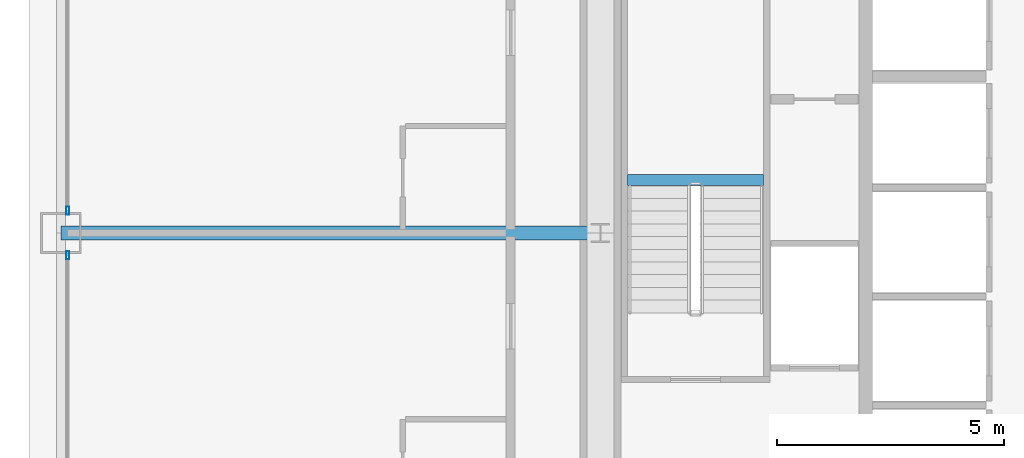
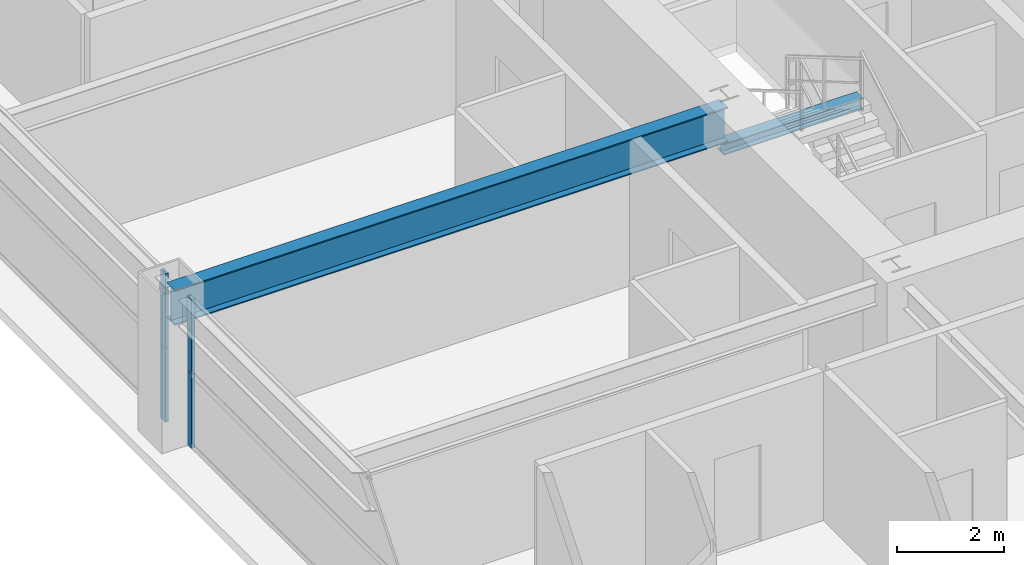
# One storey, part 13 of 43: 4 members, 2 beams, 2 elements without a shape of their own.
"""IFC4 building model written with IfcOpenShell, lengths in metres."""

import ifcopenshell
import ifcopenshell.guid

model = None  # the IFC model being written
_history = None  # IfcOwnerHistory: only IFC2X3 demands one
_inside = {}  # id of a spatial element -> (the spatial element, [elements in it])
_under = {}  # id of a project, library or spatial element -> (it, [spatial elements below it])
_declared = {}  # id of a project -> (the project, [libraries it declares])
_typed = {}  # id of a type object -> (the type object, [elements of that type])
_made_of = {}  # id of a material, layer set ... -> (it, [elements and type objects made of it])


def new_model(schema):
    """Start an empty IFC model of exactly this schema.

    Asked for "IFC4X3", IfcOpenShell would pick the latest addendum, in which some entities
    have other attributes; the version numbers below select the first issue.
    IFC2X3 requires an IfcOwnerHistory on every rooted entity: one is made here for all.
    """
    global model, _history
    if schema == "IFC4X3":
        model = ifcopenshell.file(schema_version=(4, 3, 0, 0))
    else:
        model = ifcopenshell.file(schema=schema)
    _inside.clear()
    _under.clear()
    _declared.clear()
    _typed.clear()
    _made_of.clear()
    _history = None
    if model.schema == "IFC2X3":
        org = make("IfcOrganization", Name="unknown")
        user = make(
            "IfcPersonAndOrganization",
            ThePerson=make("IfcPerson", FamilyName="unknown"),
            TheOrganization=org,
        )
        app = make(
            "IfcApplication",
            ApplicationDeveloper=org,
            Version="unknown",
            ApplicationFullName="unknown",
            ApplicationIdentifier="unknown",
        )
        _history = make(
            "IfcOwnerHistory",
            OwningUser=user,
            OwningApplication=app,
            ChangeAction="ADDED",
            CreationDate=0,
        )
    return model


def make(cls, **values):
    """One entity of the class cls with the attributes given. An attribute that is None is left unset."""
    return model.create_entity(
        cls, **{name: value for name, value in values.items() if value is not None}
    )


def rooted(cls, **values):
    """An entity with a GlobalId (a new one), such as an element, a storey or a relation."""
    return make(cls, GlobalId=ifcopenshell.guid.new(), OwnerHistory=_history, **values)


def si_unit(unit_type, name, prefix=None):
    """IfcSIUnit, for example si_unit("LENGTHUNIT", "METRE", prefix="MILLI")."""
    return make("IfcSIUnit", UnitType=unit_type, Prefix=prefix, Name=name)


def assignment(units):
    """IfcUnitAssignment: the units of a project."""
    return None if units is None else make("IfcUnitAssignment", Units=units)


def point(xyz):
    """IfcCartesianPoint."""
    return None if xyz is None else make("IfcCartesianPoint", Coordinates=xyz)


def direction(xyz):
    """IfcDirection."""
    return None if xyz is None else make("IfcDirection", DirectionRatios=xyz)


def frame(location, z_axis=None, x_axis=None):
    """IfcAxis2Placement3D, a coordinate frame: its origin and axes. An axis left out is left unset."""
    return make(
        "IfcAxis2Placement3D",
        Location=point(location),
        Axis=direction(z_axis),
        RefDirection=direction(x_axis),
    )


def frame_2d(location, x_axis=None):
    """IfcAxis2Placement2D, a coordinate frame in the plane: its origin and x axis."""
    return make(
        "IfcAxis2Placement2D", Location=point(location), RefDirection=direction(x_axis)
    )


def origin():
    """The frame at (0, 0, 0) with its axes left unset."""
    return frame((0.0, 0.0, 0.0))


def origin_2d():
    """The frame at (0, 0) in the plane with its x axis left unset."""
    return frame_2d((0.0, 0.0))


def place(relative_to, where):
    """IfcLocalPlacement: puts the frame where relative to a parent placement (None: the world)."""
    return make(
        "IfcLocalPlacement", PlacementRelTo=relative_to, RelativePlacement=where
    )


def context(
    kind, dimensions, precision=None, world=None, true_north=None, identifier=None
):
    """IfcGeometricRepresentationContext, for example the 3D "Model" context."""
    return make(
        "IfcGeometricRepresentationContext",
        ContextIdentifier=identifier,
        ContextType=kind,
        CoordinateSpaceDimension=dimensions,
        Precision=precision,
        WorldCoordinateSystem=world,
        TrueNorth=true_north,
    )


def subcontext(parent, identifier, kind, view, scale=None):
    """IfcGeometricRepresentationSubContext, for example "Body" below "Model"."""
    return make(
        "IfcGeometricRepresentationSubContext",
        ContextIdentifier=identifier,
        ContextType=kind,
        ParentContext=parent,
        TargetScale=scale,
        TargetView=view,
    )


def project(units=None, contexts=None):
    """IfcProject with its units and contexts."""
    return rooted(
        "IfcProject",
        Name="project",
        RepresentationContexts=contexts,
        UnitsInContext=assignment(units),
    )


def spatial(cls, under=None, at=None, **own):
    """A site, building, storey or space (cls), placed at a placement, below another one or the project."""
    s = rooted(cls, ObjectPlacement=at, **own)
    if under is not None:
        _under.setdefault(under.id(), (under, []))[1].append(s)
    return s


def profile(cls, at=None, kind="AREA", **sizes):
    """A parametric profile (cls). Its sizes go by their IFC names, for example OverallWidth=200.0."""
    return make(cls, ProfileType=kind, Position=at, **sizes)


def hollow_rectangle(**sizes):
    """IfcRectangleHollowProfileDef."""
    return profile("IfcRectangleHollowProfileDef", **sizes)


def i_section(**sizes):
    """IfcIShapeProfileDef."""
    return profile("IfcIShapeProfileDef", **sizes)


def extrude(swept, where, along, depth):
    """IfcExtrudedAreaSolid: the profile swept, set in the frame where, extruded along a direction by depth."""
    return make(
        "IfcExtrudedAreaSolid",
        SweptArea=swept,
        Position=where,
        ExtrudedDirection=direction(along),
        Depth=depth,
    )


def shape(context_of_items, identifier, shape_type, items):
    """IfcShapeRepresentation: the items that make up one representation, for example the "Body"."""
    return make(
        "IfcShapeRepresentation",
        ContextOfItems=context_of_items,
        RepresentationIdentifier=identifier,
        RepresentationType=shape_type,
        Items=items,
    )


def source(mapping_origin, context_of_items, identifier, shape_type, items):
    """IfcRepresentationMap: a shape defined once, which mapped items show again and again."""
    return make(
        "IfcRepresentationMap",
        MappingOrigin=mapping_origin,
        MappedRepresentation=shape(context_of_items, identifier, shape_type, items),
    )


def transform(
    local_origin,
    x_axis=None,
    y_axis=None,
    z_axis=None,
    scale=None,
    scale2=None,
    scale3=None,
    uniform=True,
):
    """IfcCartesianTransformationOperator3D, or its non-uniform kind. x_axis, y_axis, z_axis: its Axis1, 2, 3."""
    if uniform:
        return make(
            "IfcCartesianTransformationOperator3D",
            Axis1=direction(x_axis),
            Axis2=direction(y_axis),
            LocalOrigin=point(local_origin),
            Scale=scale,
            Axis3=direction(z_axis),
        )
    return make(
        "IfcCartesianTransformationOperator3DnonUniform",
        Axis1=direction(x_axis),
        Axis2=direction(y_axis),
        LocalOrigin=point(local_origin),
        Scale=scale,
        Axis3=direction(z_axis),
        Scale2=scale2,
        Scale3=scale3,
    )


def mapped(mapping_source, mapping_target):
    """IfcMappedItem: shows the shape of a source again, moved by a transform."""
    return make(
        "IfcMappedItem", MappingSource=mapping_source, MappingTarget=mapping_target
    )


def material(Name=None, Category=None):
    """IfcMaterial."""
    return make("IfcMaterial", Name=Name, Category=Category)


def layer(
    of_material, thickness, ventilated=None, Name=None, Category=None, Priority=None
):
    """IfcMaterialLayer: one layer of a wall or slab, of a material (None: an air gap)."""
    return make(
        "IfcMaterialLayer",
        Material=of_material,
        LayerThickness=thickness,
        IsVentilated=ventilated,
        Name=Name,
        Category=Category,
        Priority=Priority,
    )


def layer_set(layers, Name=None):
    """IfcMaterialLayerSet."""
    return make("IfcMaterialLayerSet", MaterialLayers=layers, LayerSetName=Name)


def material_profile(
    of_material, cross_section, Name=None, Category=None, Priority=None
):
    """IfcMaterialProfile: a cross section and its material."""
    return make(
        "IfcMaterialProfile",
        Name=Name,
        Material=of_material,
        Profile=cross_section,
        Priority=Priority,
        Category=Category,
    )


def profile_set(profiles, Name=None, composite=None):
    """IfcMaterialProfileSet."""
    return make(
        "IfcMaterialProfileSet",
        Name=Name,
        MaterialProfiles=profiles,
        CompositeProfile=composite,
    )


def made_of(thing, what):
    """Note that an element or type object is made of a material, layer set ...; save() writes the relation."""
    if what is not None:
        _made_of.setdefault(what.id(), (what, []))[1].append(thing)
    return thing


def type_object(cls, material=None, **own):
    """A type object (cls), such as IfcWallType, which elements share."""
    return made_of(rooted(cls, **own), material)


def element(
    cls,
    number,
    at=None,
    inside=None,
    cuts=None,
    type_object=None,
    material=None,
    context=None,
    identifier="Body",
    shape_type=None,
    held_by="IfcProductDefinitionShape",
    body=None,
    shapes=None,
    **own,
):
    """One element of the class cls, such as IfcWall. Its Tag is "e" and its number.

    at: its placement. inside: the storey or other place that contains it. cuts: it is an
    opening in that element (IfcRelVoidsElement). A single representation is given by context,
    identifier, shape_type and body (its items); several are given by shapes. held_by: the class
    of the entity that holds the representations. save() writes the other relations.
    """
    e = rooted(cls, Tag="e%d" % number, ObjectPlacement=at, **own)
    if body is not None:
        shapes = [shape(context, identifier, shape_type, body)]
    if shapes is not None:
        e.Representation = make(held_by, Representations=shapes)
    if inside is not None:
        _inside.setdefault(inside.id(), (inside, []))[1].append(e)
    if cuts is not None:
        rooted(
            "IfcRelVoidsElement", RelatingBuildingElement=cuts, RelatedOpeningElement=e
        )
    if type_object is not None:
        _typed.setdefault(type_object.id(), (type_object, []))[1].append(e)
    return made_of(e, material)


def aggregate(whole, parts):
    """IfcRelAggregates: a whole, such as a stair, and the parts it consists of."""
    return rooted("IfcRelAggregates", RelatingObject=whole, RelatedObjects=parts)


def save(model, path):
    """Write the relations noted so far, then the file.

    IfcRelAggregates (storeys below a building ...), IfcRelContainedInSpatialStructure (elements
    in a storey), IfcRelDefinesByType, IfcRelAssociatesMaterial and IfcRelDeclares: one each for
    every whole, place, type object, material and project.
    """
    for whole, parts in _under.values():
        aggregate(whole, parts)
    for where, things in _inside.values():
        rooted(
            "IfcRelContainedInSpatialStructure",
            RelatedElements=things,
            RelatingStructure=where,
        )
    for kind, things in _typed.values():
        rooted("IfcRelDefinesByType", RelatedObjects=things, RelatingType=kind)
    for what, things in _made_of.values():
        rooted("IfcRelAssociatesMaterial", RelatedObjects=things, RelatingMaterial=what)
    for by, libraries in _declared.values():
        rooted("IfcRelDeclares", RelatingContext=by, RelatedDefinitions=libraries)
    model.write(path)


model = new_model("IFC4")

# Units and contexts
model_context = context("Model", 3, precision=1e-05, world=origin(), true_north=direction((0.0, 1.0)))
body_context = subcontext(model_context, "Body", "Model", "MODEL_VIEW")
ifc_project = project(units=[si_unit("LENGTHUNIT", "METRE"), si_unit("AREAUNIT", "SQUARE_METRE"), si_unit("VOLUMEUNIT", "CUBIC_METRE"), si_unit("PLANEANGLEUNIT", "RADIAN"), si_unit("MASSUNIT", "GRAM", prefix="KILO"), si_unit("THERMODYNAMICTEMPERATUREUNIT", "KELVIN"), si_unit("POWERUNIT", "WATT")], contexts=[model_context])

# Site, building, storey
site_placement = place(None, origin())
site = spatial("IfcSite", under=ifc_project, at=site_placement, CompositionType="ELEMENT")
building_placement = place(site_placement, origin())
building = spatial("IfcBuilding", under=site, at=building_placement, Name="Yuzanri Waterfront Tower", CompositionType="ELEMENT")
storey_placement = place(building_placement, frame((0.0, 0.0, 64.0)))
storey = spatial("IfcBuildingStorey", under=building, at=storey_placement, Name="L16", CompositionType="ELEMENT", Elevation=64.0)

# Beam
ifc_material_1 = material(Name="Steel Q355B", Category="steel")
ifc_material_profile_1 = material_profile(ifc_material_1, i_section(OverallWidth=0.300048828125, OverallDepth=0.800048828125, WebThickness=0.013916015625, FlangeThickness=0.02587890625, at=origin_2d()), Name="HN 800x300x14x26")
ifc_profile_set_1 = profile_set([ifc_material_profile_1], Name="Steel Q355B")
beam_type_1 = type_object("IfcBeamType", Name="Primary Floor Girder Q355B HN 800x300", PredefinedType="BEAM", material=ifc_profile_set_1)
shared_shape_1 = source(origin(), body_context, "Body", "SweptSolid", [
    extrude(i_section(OverallWidth=0.300048828125, OverallDepth=0.800048828125, WebThickness=0.013916015625, FlangeThickness=0.02587890625, at=origin_2d()), origin(), (0.0, 0.0, 1.0), 11.900146484375),
])
beam_1_placement = place(storey_placement, frame((23.800048828125, 25.800048828125, 2.97998046875), z_axis=(-1.0, 0.0, 0.0), x_axis=(0.0, -1.0, 0.0)))
element("IfcBeam", 1, at=beam_1_placement, inside=storey, type_object=beam_type_1, Name="L16 West Grid Girder", PredefinedType="BEAM", context=body_context, shape_type="MappedRepresentation", body=[
    mapped(shared_shape_1, transform((0.0, 0.0, 0.0), scale=1.0)),
])

# Curtain wall, members
ifc_material_2 = material(Name="Anodized Architectural Bronze", Category="metal")
ifc_layer = layer(ifc_material_2, 0.159912109375)
ifc_layer_set = layer_set([ifc_layer], Name="Anodized Architectural Bronze")
curtain_wall_type = type_object("IfcCurtainWallType", Name="Anodized Bronze Hotel Lower-Tier Recessed Unitized Curtain Wall 8100", PredefinedType="NOTDEFINED", material=ifc_layer_set)
curtain_wall_1_placement = place(storey_placement, origin())
curtain_wall_1 = element("IfcCurtainWall", 2, at=curtain_wall_1_placement, inside=storey, type_object=curtain_wall_type, Name="L16 Curtain Wall CW-L16-WL", PredefinedType="NOTDEFINED")
ifc_material_3 = material(Name="Anodized Architectural Bronze", Category="metal")
ifc_material_profile_2 = material_profile(ifc_material_3, hollow_rectangle(XDim=0.070068359375, YDim=0.179931640625, WallThickness=0.00390625, at=origin_2d()), Name="CWM 70x180")
ifc_profile_set_2 = profile_set([ifc_material_profile_2], Name="Anodized Architectural Bronze")
member_type = type_object("IfcMemberType", Name="Anodized Bronze Standard Curtain-Wall Mullion 70x180", PredefinedType="MULLION", material=ifc_profile_set_2)
shared_shape_2 = source(origin(), body_context, "Body", "SweptSolid", [
    extrude(hollow_rectangle(XDim=0.070068359375, YDim=0.179931640625, WallThickness=0.00390625, at=origin_2d()), origin(), (0.0, 0.0, 1.0), 1.68798828125),
])
member_1_placement = place(storey_placement, frame((12.050048828125, 25.31005859375, 0.0), z_axis=(0.0, 0.0, 1.0), x_axis=(1.0, 0.0, 0.0)))
member_1 = element("IfcMember", 3, at=member_1_placement, type_object=member_type, Name="CW-L16-WL Lower Mullion 02", PredefinedType="MULLION", context=body_context, shape_type="MappedRepresentation", body=[
    mapped(shared_shape_2, transform((0.0, 0.0, 0.0), scale=1.0)),
])
member_2_placement = place(storey_placement, frame((12.050048828125, 25.31005859375, 1.69189453125), z_axis=(0.0, 0.0, 1.0), x_axis=(1.0, 0.0, 0.0)))
member_2 = element("IfcMember", 4, at=member_2_placement, type_object=member_type, Name="CW-L16-WL Upper Mullion 02", PredefinedType="MULLION", context=body_context, shape_type="MappedRepresentation", body=[
    mapped(shared_shape_2, transform((0.0, 0.0, 0.0), scale=1.0)),
])
aggregate(curtain_wall_1, [member_1, member_2])

curtain_wall_2_placement = place(storey_placement, origin())
curtain_wall_2 = element("IfcCurtainWall", 5, at=curtain_wall_2_placement, inside=storey, type_object=curtain_wall_type, Name="L16 Curtain Wall CW-L16-WR", PredefinedType="NOTDEFINED")
member_3_placement = place(storey_placement, frame((12.050048828125, 26.2900390625, 0.0), z_axis=(0.0, 0.0, 1.0), x_axis=(1.0, 0.0, 0.0)))
member_3 = element("IfcMember", 6, at=member_3_placement, type_object=member_type, Name="CW-L16-WR Lower Mullion 00", PredefinedType="MULLION", context=body_context, shape_type="MappedRepresentation", body=[
    mapped(shared_shape_2, transform((0.0, 0.0, 0.0), scale=1.0)),
])
member_4_placement = place(storey_placement, frame((12.050048828125, 26.2900390625, 1.69189453125), z_axis=(0.0, 0.0, 1.0), x_axis=(1.0, 0.0, 0.0)))
member_4 = element("IfcMember", 7, at=member_4_placement, type_object=member_type, Name="CW-L16-WR Upper Mullion 00", PredefinedType="MULLION", context=body_context, shape_type="MappedRepresentation", body=[
    mapped(shared_shape_2, transform((0.0, 0.0, 0.0), scale=1.0)),
])
aggregate(curtain_wall_2, [member_3, member_4])

# Beam
ifc_material_4 = material(Name="Steel Q355B", Category="steel")
ifc_material_profile_3 = material_profile(ifc_material_4, i_section(OverallWidth=0.25, OverallDepth=0.25, WebThickness=0.009033203125, FlangeThickness=0.013916015625, at=origin_2d()), Name="HW 250x250x9x14")
ifc_profile_set_3 = profile_set([ifc_material_profile_3], Name="Steel Q355B")
beam_type_2 = type_object("IfcBeamType", Name="Stair Landing Support Beam Q355B HW 250x250", PredefinedType="BEAM", material=ifc_profile_set_3)
shared_shape_3 = source(origin(), body_context, "Body", "SweptSolid", [
    extrude(i_section(OverallWidth=0.25, OverallDepth=0.25, WebThickness=0.009033203125, FlangeThickness=0.013916015625, at=origin_2d()), origin(), (0.0, 0.0, 1.0), 3.0),
])
beam_2_placement = place(storey_placement, frame((24.39990234375, 26.969970703125, 1.47509765625), z_axis=(1.0, 0.0, 0.0), x_axis=(0.0, 1.0, 0.0)))
element("IfcBeam", 8, at=beam_2_placement, inside=storey, type_object=beam_type_2, Name="L16 Stair Landing Support Beam ST-01-L16-L1-1", PredefinedType="BEAM", context=body_context, shape_type="MappedRepresentation", body=[
    mapped(shared_shape_3, transform((0.0, 0.0, 0.0), scale=1.0)),
])

save(model, "model.ifc")
